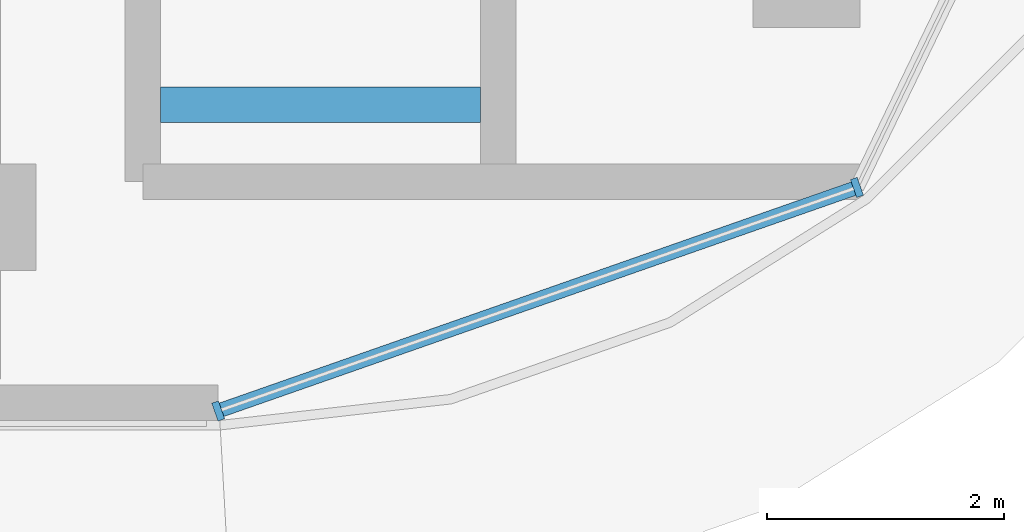
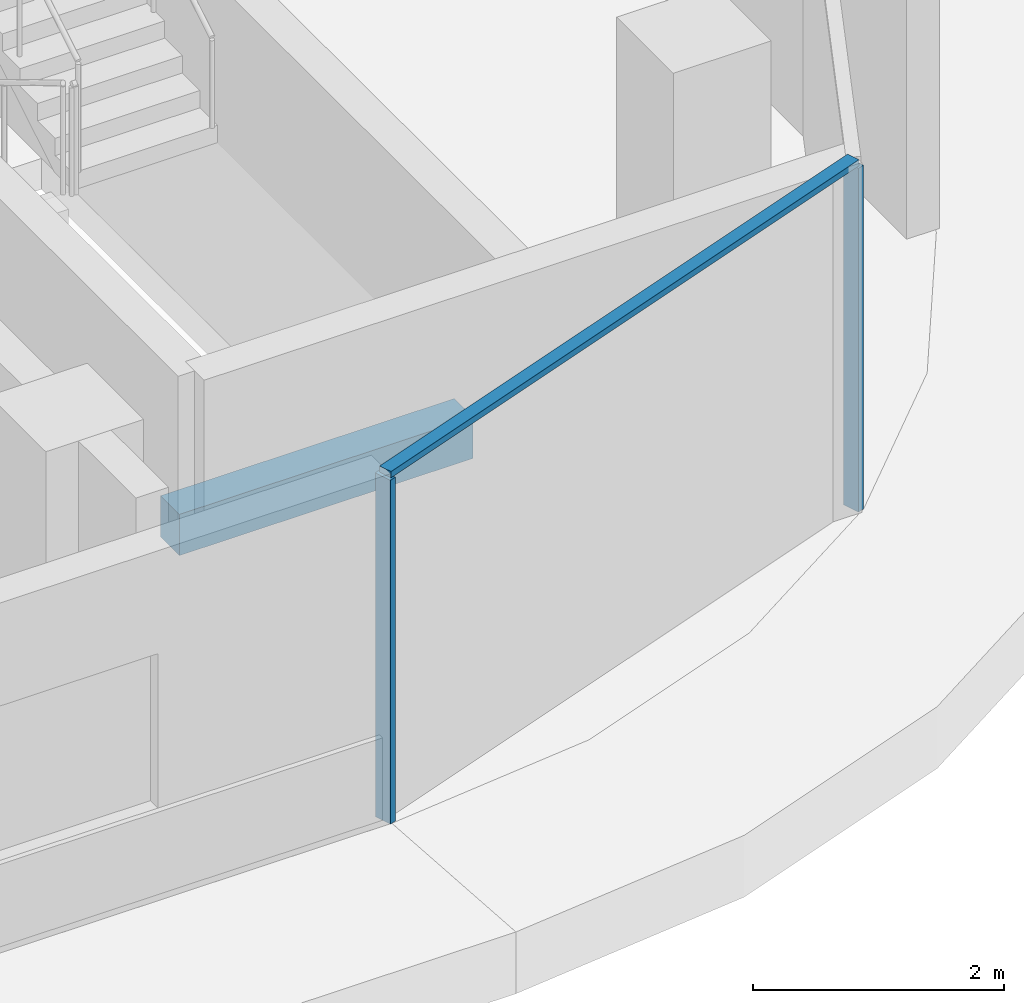
# One storey, part 3 of 20: 3 members, 1 beam, 1 element without a shape of its own.
"""IFC4 building model written with IfcOpenShell, lengths in metres."""

from ifc_helpers import new_model, si_unit, direction, frame, origin, origin_2d, place, context, subcontext, project, spatial, rectangle, extrude, material, material_profile, profile_set, type_object, element, aggregate, save


model = new_model("IFC4")

# Units and contexts
model_context = context("Model", 3, precision=1e-05, world=origin(), true_north=direction((0.0, 1.0)))
body_context = subcontext(model_context, "Body", "Model", "MODEL_VIEW")
ifc_project = project(units=[si_unit("LENGTHUNIT", "METRE"), si_unit("AREAUNIT", "SQUARE_METRE"), si_unit("VOLUMEUNIT", "CUBIC_METRE"), si_unit("PLANEANGLEUNIT", "RADIAN"), si_unit("MASSUNIT", "GRAM", prefix="KILO")], contexts=[model_context])

# Site, building, storey
site_placement = place(None, origin())
site = spatial("IfcSite", under=ifc_project, at=site_placement, CompositionType="ELEMENT")
building_placement = place(site_placement, origin())
building = spatial("IfcBuilding", under=site, at=building_placement, Name="Ogive Portal Towers", CompositionType="ELEMENT")
storey_placement = place(building_placement, frame((0.0, 0.0, 195.800048828125)))
storey = spatial("IfcBuildingStorey", under=building, at=storey_placement, Name="L48", CompositionType="ELEMENT", Elevation=195.800048828125)

# Beam
ifc_material_1 = material(Name="Concrete C40/50", Category="concrete")
ifc_material_profile_1 = material_profile(ifc_material_1, rectangle(XDim=0.300048828125, YDim=0.39990234375, at=origin_2d()), Name="RC 300x400")
ifc_profile_set_1 = profile_set([ifc_material_profile_1], Name="Concrete C40/50")
beam_type = type_object("IfcBeamType", Name="BEAM RC 300x400", PredefinedType="BEAM", material=ifc_profile_set_1)
beam_placement = place(storey_placement, frame((87.0, 22.449951171875, 1.449951171875), z_axis=(1.0, 0.0, 0.0), x_axis=(0.0, 1.0, 0.0)))
element("IfcBeam", 1, at=beam_placement, inside=storey, type_object=beam_type, Name="Landing beam L48", PredefinedType="BEAM", context=body_context, shape_type="SweptSolid", body=[
    extrude(rectangle(XDim=0.300048828125, YDim=0.39990234375, at=origin_2d()), origin(), (0.0, 0.0, 1.0), 2.699951171875),
])

# Curtain wall, members
ifc_material_2 = material(Name="Glass, clear low-iron insulated glazing", Category="glass")
curtain_wall_type = type_object("IfcCurtainWallType", Name="CW FRONT RIBBON 4500", PredefinedType="NOTDEFINED", material=ifc_material_2)
curtain_wall_placement = place(storey_placement, origin())
curtain_wall = element("IfcCurtainWall", 2, at=curtain_wall_placement, inside=storey, type_object=curtain_wall_type, Name="A:L48:f08:cwa", PredefinedType="NOTDEFINED")
ifc_material_3 = material(Name="Aluminium 6063 anodised", Category="aluminium")
ifc_material_profile_2 = material_profile(ifc_material_3, rectangle(XDim=0.159912109375, YDim=0.06005859375, at=origin_2d()), Name="AL 60x160")
ifc_profile_set_2 = profile_set([ifc_material_profile_2], Name="Aluminium 6063 anodised")
member_type_1 = type_object("IfcMemberType", Name="CW MULLION 60x160", PredefinedType="MULLION", material=ifc_profile_set_2)
member_1_placement = place(storey_placement, frame((87.486328125, 19.864990234375, 0.0), z_axis=(0.0, 0.0, 1.0), x_axis=(-0.33027906196, 0.943883330307, 0.0)))
member_1 = element("IfcMember", 3, at=member_1_placement, type_object=member_type_1, Name="mullion", PredefinedType="MULLION", context=body_context, shape_type="SweptSolid", body=[
    extrude(rectangle(XDim=0.159912109375, YDim=0.06005859375, at=origin_2d()), origin(), (0.0, 0.0, 1.0), 3.33984375),
])
member_2_placement = place(storey_placement, frame((92.8759765625, 21.7509765625, 0.0), z_axis=(0.0, 0.0, 1.0), x_axis=(-0.33027906196, 0.943883330307, 0.0)))
member_2 = element("IfcMember", 4, at=member_2_placement, type_object=member_type_1, Name="mullion", PredefinedType="MULLION", context=body_context, shape_type="SweptSolid", body=[
    extrude(rectangle(XDim=0.159912109375, YDim=0.06005859375, at=origin_2d()), origin(), (0.0, 0.0, 1.0), 3.33984375),
])
ifc_material_profile_3 = material_profile(ifc_material_3, rectangle(XDim=0.1201171875, YDim=0.06005859375, at=origin_2d()), Name="AL 120x60")
ifc_profile_set_3 = profile_set([ifc_material_profile_3], Name="Aluminium 6063 anodised")
member_type_2 = type_object("IfcMemberType", Name="CW TRANSOM 60x120", PredefinedType="USERDEFINED", material=ifc_profile_set_3)
member_3_placement = place(storey_placement, frame((87.486328125, 19.864990234375, 3.369873046875), z_axis=(0.943879684746, 0.330289480189, 0.0), x_axis=(-0.330289480189, 0.943879684746, 0.0)))
member_3 = element("IfcMember", 5, at=member_3_placement, type_object=member_type_2, Name="transom", ObjectType="TRANSOM", PredefinedType="USERDEFINED", context=body_context, shape_type="SweptSolid", body=[
    extrude(rectangle(XDim=0.1201171875, YDim=0.06005859375, at=origin_2d()), origin(), (0.0, 0.0, 1.0), 5.710205078125),
])
aggregate(curtain_wall, [member_3, member_1, member_2])

save(model, "model.ifc")
